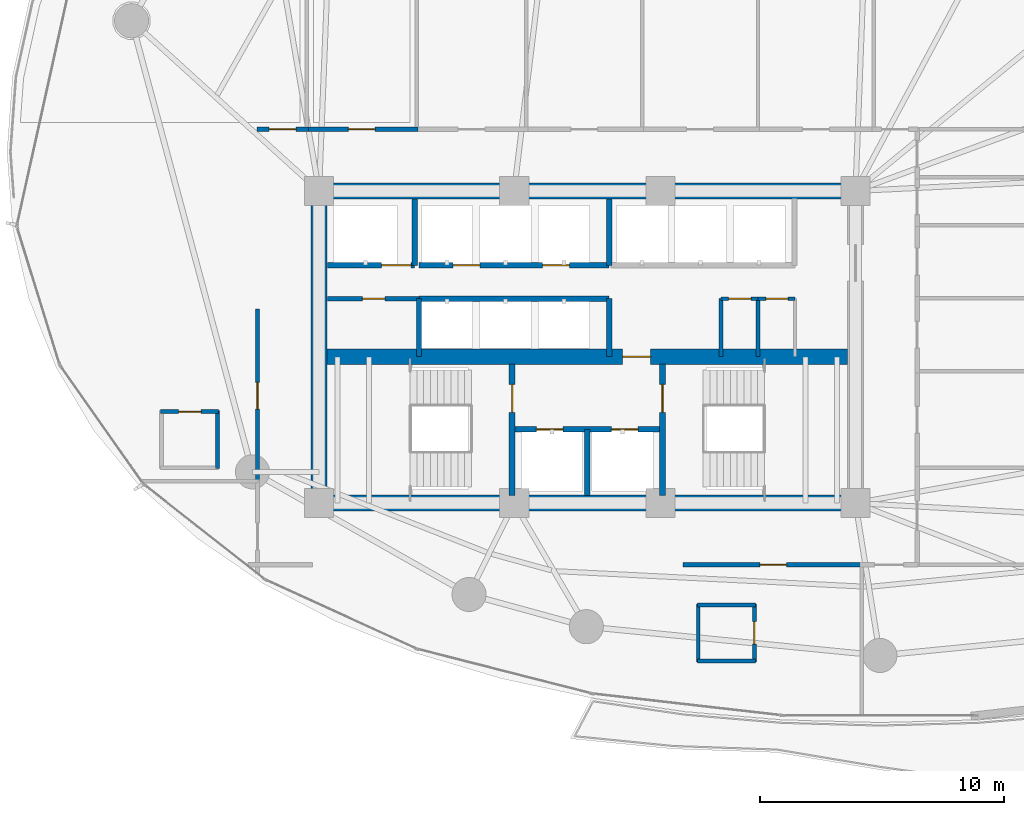
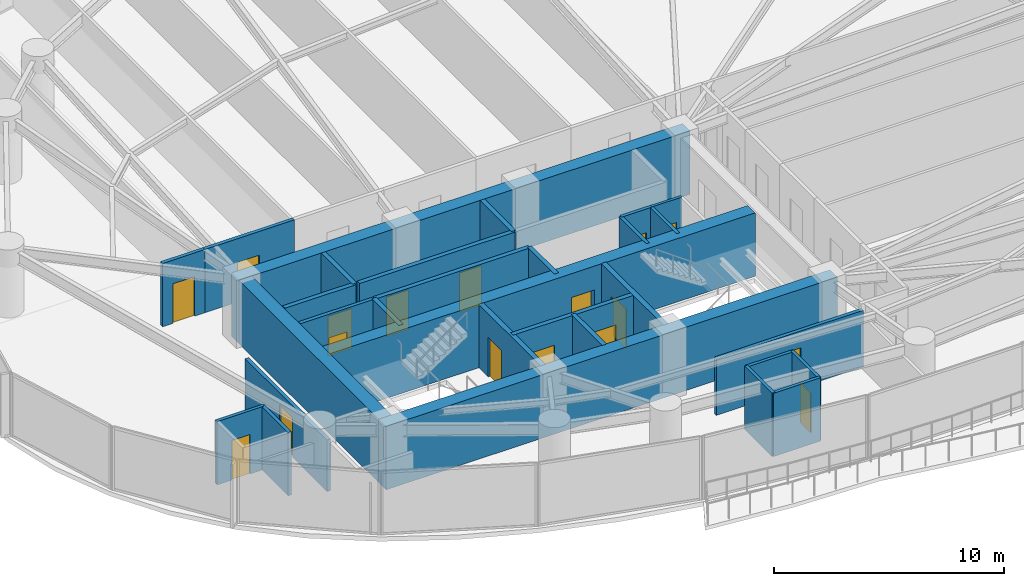
# One storey, part 26 of 33: 30 walls, 17 doors, 17 openings.
"""IFC4 building model written with IfcOpenShell, lengths in metres."""

from ifc_helpers import new_model, si_unit, direction, frame, frame_2d, origin, place, context, subcontext, project, spatial, rectangle, extrude, material, layer, layer_set, type_object, element, fill, save


model = new_model("IFC4")

# Units and contexts
model_context = context("Model", 3, precision=1e-05, world=origin(), true_north=direction((0.0, 1.0)))
body_context = subcontext(model_context, "Body", "Model", "MODEL_VIEW")
ifc_project = project(units=[si_unit("LENGTHUNIT", "METRE"), si_unit("AREAUNIT", "SQUARE_METRE"), si_unit("VOLUMEUNIT", "CUBIC_METRE"), si_unit("PLANEANGLEUNIT", "RADIAN"), si_unit("MASSUNIT", "GRAM", prefix="KILO")], contexts=[model_context])

# Site, building, storey
site_placement = place(None, origin())
site = spatial("IfcSite", under=ifc_project, at=site_placement, CompositionType="ELEMENT")
building_placement = place(site_placement, origin())
building = spatial("IfcBuilding", under=site, at=building_placement, Name="Kazevale Care Tower and Concert Hall", CompositionType="ELEMENT")
storey_placement = place(building_placement, frame((0.0, 0.0, 49.199951171875)))
storey = spatial("IfcBuildingStorey", under=building, at=storey_placement, Name="L12", CompositionType="ELEMENT", Elevation=49.199951171875)

# Wall, opening, door
ifc_material_1 = material(Name="Acoustic Gypsum on Steel Stud", Category="steel")
ifc_layer_1 = layer(ifc_material_1, 0.139892578125)
ifc_layer_set_1 = layer_set([ifc_layer_1], Name="Acoustic Gypsum on Steel Stud")
wall_type_1 = type_object("IfcWallType", Name="Acoustic Care & Suite Partition 140", PredefinedType="PARTITIONING", material=ifc_layer_set_1)
wall_1_placement = place(storey_placement, frame((40.0, 31.97998046875, 0.0), z_axis=(0.0, 0.0, 1.0), x_axis=(1.0, 0.0, 0.0)))
wall_1 = element("IfcWall", 1, at=wall_1_placement, inside=storey, type_object=wall_type_1, Name="wall:L12:ka_en2", PredefinedType="PARTITIONING", context=body_context, shape_type="SweptSolid", body=[
    extrude(rectangle(XDim=1.52001953125, YDim=0.139892578125, at=frame_2d((0.760009765625, 0.0))), origin(), (0.0, 0.0, 1.0), 3.360107421875),
])
opening_1_placement = place(wall_1_placement, frame((0.320068359375, 0.0, 0.0)))
opening_1 = element("IfcOpeningElement", 2, at=opening_1_placement, cuts=wall_1, Name="Opening ID-900", PredefinedType="OPENING", context=body_context, shape_type="SweptSolid", body=[
    extrude(rectangle(XDim=0.919921875, YDim=2.10009765625, at=frame_2d((0.4599609375, 1.050048828125))), frame((0.0, 0.079833984375, 0.0), z_axis=(0.0, -1.0, 0.0), x_axis=(1.0, 0.0, 0.0)), (0.0, 0.0, 1.0), 0.159912109375),
])
ifc_material_2 = material(Name="Oak Timber Fire Leaf", Category="wood")
door_type_1 = type_object("IfcDoorType", Name="Bathroom & Service Door 920x2100", OperationType="NOTDEFINED", PredefinedType="DOOR", material=ifc_material_2)
door_1_placement = place(opening_1_placement, origin())
door_1 = element("IfcDoor", 3, at=door_1_placement, inside=storey, type_object=door_type_1, Name="door:L12:d_kae2", OperationType="SINGLE_SWING_RIGHT", OverallHeight=2.10009765625, OverallWidth=0.919921875, PredefinedType="DOOR", context=body_context, shape_type="SweptSolid", body=[
    extrude(rectangle(XDim=0.919921875, YDim=2.10009765625, at=frame_2d((0.4599609375, 1.050048828125))), frame((0.0, 0.02490234375, 0.0), z_axis=(0.0, -1.0, 0.0), x_axis=(1.0, 0.0, 0.0)), (0.0, 0.0, 1.0), 0.050048828125),
])
fill(opening_1, door_1)

# Walls
ifc_material_3 = material(Name="Concrete C70", Category="concrete")
ifc_layer_2 = layer(ifc_material_3, 0.64990234375)
ifc_layer_set_2 = layer_set([ifc_layer_2], Name="Concrete C70")
wall_type_2 = type_object("IfcWallType", Name="Core Shear Wall 650 C70", PredefinedType="SHEAR", material=ifc_layer_set_2)
for number, where, z_axis, x_axis, name in (
    (4, (21.675048828125, 23.60009765625, 0.0), (0.0, 0.0, 1.0), (1.0, 0.0, 0.0), "wall:L12:core:S"),
    (5, (21.675048828125, 36.39990234375, 0.0), (0.0, 0.0, 1.0), (1.0, 0.0, 0.0), "wall:L12:core:N"),
):
    element("IfcWall", number, at=place(storey_placement, frame(where, z_axis=z_axis, x_axis=x_axis)), inside=storey, type_object=wall_type_2, Name=name, PredefinedType="SHEAR", context=body_context, shape_type="SweptSolid", body=[
        extrude(rectangle(XDim=22.64990234375, YDim=0.64990234375, at=frame_2d((11.324951171875, 0.0))), origin(), (0.0, 0.0, 1.0), 3.360107421875),
    ])
wall_2_placement = place(storey_placement, frame((22.0, 23.925048828125, 0.0), z_axis=(0.0, 0.0, 1.0), x_axis=(0.0, 1.0, 0.0)))
element("IfcWall", 6, at=wall_2_placement, inside=storey, type_object=wall_type_2, Name="wall:L12:core:W", PredefinedType="SHEAR", context=body_context, shape_type="SweptSolid", body=[
    extrude(rectangle(XDim=12.14990234375, YDim=0.64990234375, at=frame_2d((6.074951171875, 0.0))), origin(), (0.0, 0.0, 1.0), 3.360107421875),
])

# Wall, opening, door
wall_3_placement = place(storey_placement, frame((22.324951171875, 29.60009765625, 0.0), z_axis=(0.0, 0.0, 1.0), x_axis=(1.0, 0.0, 0.0)))
wall_3 = element("IfcWall", 7, at=wall_3_placement, inside=storey, type_object=wall_type_2, Name="wall:L12:core:M", PredefinedType="SHEAR", context=body_context, shape_type="SweptSolid", body=[
    extrude(rectangle(XDim=21.35009765625, YDim=0.64990234375, at=frame_2d((10.675048828125, 0.0))), origin(), (0.0, 0.0, 1.0), 3.360107421875),
])
opening_2_placement = place(wall_3_placement, frame((12.125, 0.0, 0.0)))
opening_2 = element("IfcOpeningElement", 8, at=opening_2_placement, cuts=wall_3, Name="Opening FD-90", PredefinedType="OPENING", context=body_context, shape_type="SweptSolid", body=[
    extrude(rectangle(XDim=1.14990234375, YDim=2.10009765625, at=frame_2d((0.574951171875, 1.050048828125))), frame((0.0, 0.3349609375, 0.0), z_axis=(0.0, -1.0, 0.0), x_axis=(1.0, 0.0, 0.0)), (0.0, 0.0, 1.0), 0.669921875),
])
ifc_material_4 = material(Name="Steel ASTM A572 Gr 50", Category="steel")
door_type_2 = type_object("IfcDoorType", Name="Pressurized Stair & Lobby Fire Door 1150x2100", OperationType="NOTDEFINED", PredefinedType="DOOR", material=ifc_material_4)
door_2_placement = place(opening_2_placement, origin())
door_2 = element("IfcDoor", 9, at=door_2_placement, inside=storey, type_object=door_type_2, Name="door:L12:ff_to_pax", OperationType="SINGLE_SWING_LEFT", OverallHeight=2.10009765625, OverallWidth=1.14990234375, PredefinedType="DOOR", context=body_context, shape_type="SweptSolid", body=[
    extrude(rectangle(XDim=1.14990234375, YDim=2.10009765625, at=frame_2d((0.574951171875, 1.050048828125))), frame((0.0, 0.02490234375, 0.0), z_axis=(0.0, -1.0, 0.0), x_axis=(1.0, 0.0, 0.0)), (0.0, 0.0, 1.0), 0.050048828125),
])
fill(opening_2, door_2)

# Wall, openings, doors
ifc_material_5 = material(Name="Concrete C40", Category="concrete")
ifc_layer_3 = layer(ifc_material_5, 0.219970703125)
ifc_layer_set_3 = layer_set([ifc_layer_3], Name="Concrete C40")
wall_type_3 = type_object("IfcWallType", Name="Elevator Hoistway Shaft Wall 220", PredefinedType="SOLIDWALL", material=ifc_layer_set_3)
wall_4_placement = place(storey_placement, frame((29.919921875, 26.6201171875, 0.0), z_axis=(0.0, 0.0, 1.0), x_axis=(1.0, 0.0, 0.0)))
wall_4 = element("IfcWall", 10, at=wall_4_placement, inside=storey, type_object=wall_type_3, Name="wall:L12:c_ffl_n", PredefinedType="SOLIDWALL", context=body_context, shape_type="SweptSolid", body=[
    extrude(rectangle(XDim=6.16015625, YDim=0.219970703125, at=frame_2d((3.080078125, 0.0))), origin(), (0.0, 0.0, 1.0), 3.360107421875),
])
opening_3_placement = place(wall_4_placement, frame((0.989990234375, 0.0, 0.0)))
opening_3 = element("IfcOpeningElement", 11, at=opening_3_placement, cuts=wall_4, Name="Opening LD-FF", PredefinedType="OPENING", context=body_context, shape_type="SweptSolid", body=[
    extrude(rectangle(XDim=1.10009765625, YDim=2.10009765625, at=frame_2d((0.550048828125, 1.050048828125))), frame((0.0, 0.119873046875, 0.0), z_axis=(0.0, -1.0, 0.0), x_axis=(1.0, 0.0, 0.0)), (0.0, 0.0, 1.0), 0.239990234375),
])
opening_4_placement = place(wall_4_placement, frame((4.070068359375, 0.0, 0.0)))
opening_4 = element("IfcOpeningElement", 12, at=opening_4_placement, cuts=wall_4, Name="Opening LD-FF", PredefinedType="OPENING", context=body_context, shape_type="SweptSolid", body=[
    extrude(rectangle(XDim=1.10009765625, YDim=2.10009765625, at=frame_2d((0.550048828125, 1.050048828125))), frame((0.0, 0.119873046875, 0.0), z_axis=(0.0, -1.0, 0.0), x_axis=(1.0, 0.0, 0.0)), (0.0, 0.0, 1.0), 0.239990234375),
])
ifc_material_6 = material(Name="Stainless Steel 316", Category="steel")
door_type_3 = type_object("IfcDoorType", Name="Emergency Lift Sliding Landing Door 1100x2100", OperationType="NOTDEFINED", PredefinedType="DOOR", material=ifc_material_6)
door_3_placement = place(opening_3_placement, origin())
door_3 = element("IfcDoor", 13, at=door_3_placement, inside=storey, type_object=door_type_3, Name="door:L12:ld_ffl1", OperationType="SLIDING_TO_LEFT", OverallHeight=2.10009765625, OverallWidth=1.10009765625, PredefinedType="DOOR", context=body_context, shape_type="SweptSolid", body=[
    extrude(rectangle(XDim=1.10009765625, YDim=2.10009765625, at=frame_2d((0.550048828125, 1.050048828125))), frame((0.0, 0.02490234375, 0.0), z_axis=(0.0, -1.0, 0.0), x_axis=(1.0, 0.0, 0.0)), (0.0, 0.0, 1.0), 0.050048828125),
])
fill(opening_3, door_3)
door_4_placement = place(opening_4_placement, origin())
door_4 = element("IfcDoor", 14, at=door_4_placement, inside=storey, type_object=door_type_3, Name="door:L12:ld_ffl2", OperationType="SLIDING_TO_RIGHT", OverallHeight=2.10009765625, OverallWidth=1.10009765625, PredefinedType="DOOR", context=body_context, shape_type="SweptSolid", body=[
    extrude(rectangle(XDim=1.10009765625, YDim=2.10009765625, at=frame_2d((0.550048828125, 1.050048828125))), frame((0.0, 0.02490234375, 0.0), z_axis=(0.0, -1.0, 0.0), x_axis=(1.0, 0.0, 0.0)), (0.0, 0.0, 1.0), 0.050048828125),
])
fill(opening_4, door_4)

# Walls
wall_5_placement = place(storey_placement, frame((33.0, 23.89990234375, 0.0), z_axis=(0.0, 0.0, 1.0), x_axis=(0.0, 1.0, 0.0)))
element("IfcWall", 15, at=wall_5_placement, inside=storey, type_object=wall_type_3, Name="wall:L12:c_ffl_m", PredefinedType="SOLIDWALL", context=body_context, shape_type="SweptSolid", body=[
    extrude(rectangle(XDim=2.72021484375, YDim=0.219970703125, at=frame_2d((1.360107421875, 0.0))), origin(), (0.0, 0.0, 1.0), 3.360107421875),
])
wall_6_placement = place(storey_placement, frame((25.919921875, 33.35009765625, 0.0), z_axis=(0.0, 0.0, 1.0), x_axis=(0.0, 1.0, 0.0)))
element("IfcWall", 16, at=wall_6_placement, inside=storey, type_object=wall_type_3, Name="wall:L12:c_svl_e", PredefinedType="SOLIDWALL", context=body_context, shape_type="SweptSolid", body=[
    extrude(rectangle(XDim=2.72998046875, YDim=0.219970703125, at=frame_2d((1.364990234375, 0.0))), origin(), (0.0, 0.0, 1.0), 3.360107421875),
])

# Wall, opening, door
wall_7_placement = place(storey_placement, frame((22.35009765625, 33.35009765625, 0.0), z_axis=(0.0, 0.0, 1.0), x_axis=(1.0, 0.0, 0.0)))
wall_7 = element("IfcWall", 17, at=wall_7_placement, inside=storey, type_object=wall_type_3, Name="wall:L12:c_svl_s", PredefinedType="SOLIDWALL", context=body_context, shape_type="SweptSolid", body=[
    extrude(rectangle(XDim=3.56982421875, YDim=0.219970703125, at=frame_2d((1.784912109375, 0.0))), origin(), (0.0, 0.0, 1.0), 3.360107421875),
])
opening_5_placement = place(wall_7_placement, frame((2.212890625, 0.0, 0.0)))
opening_5 = element("IfcOpeningElement", 18, at=opening_5_placement, cuts=wall_7, Name="Opening LD-SV", PredefinedType="OPENING", context=body_context, shape_type="SweptSolid", body=[
    extrude(rectangle(XDim=1.199951171875, YDim=2.10009765625, at=frame_2d((0.60009765625, 1.050048828125))), frame((0.0, 0.119873046875, 0.0), z_axis=(0.0, -1.0, 0.0), x_axis=(1.0, 0.0, 0.0)), (0.0, 0.0, 1.0), 0.239990234375),
])
door_type_4 = type_object("IfcDoorType", Name="Service Lift Sliding Landing Door 1200x2100", OperationType="NOTDEFINED", PredefinedType="DOOR", material=ifc_material_6)
door_5_placement = place(opening_5_placement, origin())
door_5 = element("IfcDoor", 19, at=door_5_placement, inside=storey, type_object=door_type_4, Name="door:L12:ld_svl1", OperationType="SLIDING_TO_LEFT", OverallHeight=2.10009765625, OverallWidth=1.199951171875, PredefinedType="DOOR", context=body_context, shape_type="SweptSolid", body=[
    extrude(rectangle(XDim=1.199951171875, YDim=2.10009765625, at=frame_2d((0.60009765625, 1.050048828125))), frame((0.0, 0.02490234375, 0.0), z_axis=(0.0, -1.0, 0.0), x_axis=(1.0, 0.0, 0.0)), (0.0, 0.0, 1.0), 0.050048828125),
])
fill(opening_5, door_5)

# Walls
wall_8_placement = place(storey_placement, frame((26.10009765625, 29.6201171875, 0.0), z_axis=(0.0, 0.0, 1.0), x_axis=(0.0, 1.0, 0.0)))
element("IfcWall", 20, at=wall_8_placement, inside=storey, type_object=wall_type_3, Name="wall:L12:c_ph_w", PredefinedType="SOLIDWALL", context=body_context, shape_type="SweptSolid", body=[
    extrude(rectangle(XDim=2.35986328125, YDim=0.219970703125, at=frame_2d((1.179931640625, 0.0))), origin(), (0.0, 0.0, 1.0), 3.360107421875),
])
wall_9_placement = place(storey_placement, frame((26.10009765625, 31.97998046875, 0.0), z_axis=(0.0, 0.0, 1.0), x_axis=(1.0, 0.0, 0.0)))
element("IfcWall", 21, at=wall_9_placement, inside=storey, type_object=wall_type_3, Name="wall:L12:c_ph_n", PredefinedType="SOLIDWALL", context=body_context, shape_type="SweptSolid", body=[
    extrude(rectangle(XDim=7.7998046875, YDim=0.219970703125, at=frame_2d((3.89990234375, 0.0))), origin(), (0.0, 0.0, 1.0), 3.360107421875),
])
wall_10_placement = place(storey_placement, frame((33.89990234375, 29.6201171875, 0.0), z_axis=(0.0, 0.0, 1.0), x_axis=(0.0, 1.0, 0.0)))
element("IfcWall", 22, at=wall_10_placement, inside=storey, type_object=wall_type_3, Name="wall:L12:c_ph_e", PredefinedType="SOLIDWALL", context=body_context, shape_type="SweptSolid", body=[
    extrude(rectangle(XDim=2.35986328125, YDim=0.219970703125, at=frame_2d((1.179931640625, 0.0))), origin(), (0.0, 0.0, 1.0), 3.360107421875),
])

# Wall, openings, doors
wall_11_placement = place(storey_placement, frame((26.10009765625, 33.35009765625, 0.0), z_axis=(0.0, 0.0, 1.0), x_axis=(1.0, 0.0, 0.0)))
wall_11 = element("IfcWall", 23, at=wall_11_placement, inside=storey, type_object=wall_type_3, Name="wall:L12:c_pl_s", PredefinedType="SOLIDWALL", context=body_context, shape_type="SweptSolid", body=[
    extrude(rectangle(XDim=7.7998046875, YDim=0.219970703125, at=frame_2d((3.89990234375, 0.0))), origin(), (0.0, 0.0, 1.0), 3.360107421875),
])
opening_6_placement = place(wall_11_placement, frame((1.39990234375, 0.0, 0.0)))
opening_6 = element("IfcOpeningElement", 24, at=opening_6_placement, cuts=wall_11, Name="Opening LD-PAX", PredefinedType="OPENING", context=body_context, shape_type="SweptSolid", body=[
    extrude(rectangle(XDim=1.10009765625, YDim=2.10009765625, at=frame_2d((0.550048828125, 1.050048828125))), frame((0.0, 0.119873046875, 0.0), z_axis=(0.0, -1.0, 0.0), x_axis=(1.0, 0.0, 0.0)), (0.0, 0.0, 1.0), 0.239990234375),
])
opening_7_placement = place(wall_11_placement, frame((5.06591796875, 0.0, 0.0)))
opening_7 = element("IfcOpeningElement", 25, at=opening_7_placement, cuts=wall_11, Name="Opening LD-PAX", PredefinedType="OPENING", context=body_context, shape_type="SweptSolid", body=[
    extrude(rectangle(XDim=1.10009765625, YDim=2.10009765625, at=frame_2d((0.550048828125, 1.050048828125))), frame((0.0, 0.119873046875, 0.0), z_axis=(0.0, -1.0, 0.0), x_axis=(1.0, 0.0, 0.0)), (0.0, 0.0, 1.0), 0.239990234375),
])
door_type_5 = type_object("IfcDoorType", Name="Passenger Lift Sliding Landing Door 1100x2100", OperationType="NOTDEFINED", PredefinedType="DOOR", material=ifc_material_6)
door_6_placement = place(opening_6_placement, origin())
door_6 = element("IfcDoor", 26, at=door_6_placement, inside=storey, type_object=door_type_5, Name="door:L12:ld_pl1", OperationType="SLIDING_TO_LEFT", OverallHeight=2.10009765625, OverallWidth=1.10009765625, PredefinedType="DOOR", context=body_context, shape_type="SweptSolid", body=[
    extrude(rectangle(XDim=1.10009765625, YDim=2.10009765625, at=frame_2d((0.550048828125, 1.050048828125))), frame((0.0, 0.02490234375, 0.0), z_axis=(0.0, -1.0, 0.0), x_axis=(1.0, 0.0, 0.0)), (0.0, 0.0, 1.0), 0.050048828125),
])
fill(opening_6, door_6)
door_7_placement = place(opening_7_placement, origin())
door_7 = element("IfcDoor", 27, at=door_7_placement, inside=storey, type_object=door_type_5, Name="door:L12:ld_pl2", OperationType="SLIDING_TO_RIGHT", OverallHeight=2.10009765625, OverallWidth=1.10009765625, PredefinedType="DOOR", context=body_context, shape_type="SweptSolid", body=[
    extrude(rectangle(XDim=1.10009765625, YDim=2.10009765625, at=frame_2d((0.550048828125, 1.050048828125))), frame((0.0, 0.02490234375, 0.0), z_axis=(0.0, -1.0, 0.0), x_axis=(1.0, 0.0, 0.0)), (0.0, 0.0, 1.0), 0.050048828125),
])
fill(opening_7, door_7)

# Wall
wall_12_placement = place(storey_placement, frame((33.89990234375, 33.35009765625, 0.0), z_axis=(0.0, 0.0, 1.0), x_axis=(0.0, 1.0, 0.0)))
element("IfcWall", 28, at=wall_12_placement, inside=storey, type_object=wall_type_3, Name="wall:L12:c_pl_e", PredefinedType="SOLIDWALL", context=body_context, shape_type="SweptSolid", body=[
    extrude(rectangle(XDim=2.72998046875, YDim=0.219970703125, at=frame_2d((1.364990234375, 0.0))), origin(), (0.0, 0.0, 1.0), 3.360107421875),
])

# Wall, opening, door
ifc_material_7 = material(Name="Concrete C40 and Acoustic Gypsum", Category="concrete")
ifc_layer_4 = layer(ifc_material_7, 0.179931640625)
ifc_layer_set_4 = layer_set([ifc_layer_4], Name="Concrete C40 and Acoustic Gypsum")
wall_type_4 = type_object("IfcWallType", Name="Fire-Rated Corridor & Party Wall 180", PredefinedType="PARTITIONING", material=ifc_layer_set_4)
wall_13_placement = place(storey_placement, frame((22.35009765625, 31.97998046875, 0.0), z_axis=(0.0, 0.0, 1.0), x_axis=(1.0, 0.0, 0.0)))
wall_13 = element("IfcWall", 29, at=wall_13_placement, inside=storey, type_object=wall_type_4, Name="wall:L12:ka_wn1", PredefinedType="PARTITIONING", context=body_context, shape_type="SweptSolid", body=[
    extrude(rectangle(XDim=3.75, YDim=0.179931640625, at=frame_2d((1.875, 0.0))), origin(), (0.0, 0.0, 1.0), 3.360107421875),
])
opening_8_placement = place(wall_13_placement, frame((1.425048828125, 0.0, 0.0)))
opening_8 = element("IfcOpeningElement", 30, at=opening_8_placement, cuts=wall_13, Name="Opening ID-900", PredefinedType="OPENING", context=body_context, shape_type="SweptSolid", body=[
    extrude(rectangle(XDim=0.919921875, YDim=2.10009765625, at=frame_2d((0.4599609375, 1.050048828125))), frame((0.0, 0.099853515625, 0.0), z_axis=(0.0, -1.0, 0.0), x_axis=(1.0, 0.0, 0.0)), (0.0, 0.0, 1.0), 0.199951171875),
])
door_8_placement = place(opening_8_placement, origin())
door_8 = element("IfcDoor", 31, at=door_8_placement, inside=storey, type_object=door_type_1, Name="door:L12:d_kaw", OperationType="SINGLE_SWING_LEFT", OverallHeight=2.10009765625, OverallWidth=0.919921875, PredefinedType="DOOR", context=body_context, shape_type="SweptSolid", body=[
    extrude(rectangle(XDim=0.919921875, YDim=2.10009765625, at=frame_2d((0.4599609375, 1.050048828125))), frame((0.0, 0.02490234375, 0.0), z_axis=(0.0, -1.0, 0.0), x_axis=(1.0, 0.0, 0.0)), (0.0, 0.0, 1.0), 0.050048828125),
])
fill(opening_8, door_8)

wall_14_placement = place(storey_placement, frame((19.445068359375, 38.925048828125, 0.0), z_axis=(0.0, 0.0, 1.0), x_axis=(1.0, 0.0, 0.0)))
wall_14 = element("IfcWall", 32, at=wall_14_placement, inside=storey, type_object=wall_type_4, Name="wall:L12:auto_001", PredefinedType="PARTITIONING", context=body_context, shape_type="SweptSolid", body=[
    extrude(rectangle(XDim=2.119873046875, YDim=0.179931640625, at=frame_2d((1.06005859375, 0.0))), origin(), (0.0, 0.0, 1.0), 3.360107421875),
])
opening_9_placement = place(wall_14_placement, frame((0.510009765625, 0.0, 0.0)))
opening_9 = element("IfcOpeningElement", 33, at=opening_9_placement, cuts=wall_14, Name="Opening ID-1100", PredefinedType="OPENING", context=body_context, shape_type="SweptSolid", body=[
    extrude(rectangle(XDim=1.10009765625, YDim=2.10009765625, at=frame_2d((0.550048828125, 1.050048828125))), frame((0.0, 0.099853515625, 0.0), z_axis=(0.0, -1.0, 0.0), x_axis=(1.0, 0.0, 0.0)), (0.0, 0.0, 1.0), 0.199951171875),
])
door_type_6 = type_object("IfcDoorType", Name="Care Bedroom Accessible Door 1100x2100", OperationType="NOTDEFINED", PredefinedType="DOOR", material=ifc_material_2)
door_9_placement = place(opening_9_placement, origin())
door_9 = element("IfcDoor", 34, at=door_9_placement, inside=storey, type_object=door_type_6, Name="door:L12:ad_001", OperationType="SINGLE_SWING_LEFT", OverallHeight=2.10009765625, OverallWidth=1.10009765625, PredefinedType="DOOR", context=body_context, shape_type="SweptSolid", body=[
    extrude(rectangle(XDim=1.10009765625, YDim=2.10009765625, at=frame_2d((0.550048828125, 1.050048828125))), frame((0.0, 0.02490234375, 0.0), z_axis=(0.0, -1.0, 0.0), x_axis=(1.0, 0.0, 0.0)), (0.0, 0.0, 1.0), 0.050048828125),
])
fill(opening_9, door_9)

wall_15_placement = place(storey_placement, frame((21.43505859375, 38.925048828125, 0.0), z_axis=(0.0, 0.0, 1.0), x_axis=(1.0, 0.0, 0.0)))
wall_15 = element("IfcWall", 35, at=wall_15_placement, inside=storey, type_object=wall_type_4, Name="wall:L12:auto_002", PredefinedType="PARTITIONING", context=body_context, shape_type="SweptSolid", body=[
    extrude(rectangle(XDim=4.6298828125, YDim=0.179931640625, at=frame_2d((2.31494140625, 0.0))), origin(), (0.0, 0.0, 1.0), 3.360107421875),
])
opening_10_placement = place(wall_15_placement, frame((1.764892578125, 0.0, 0.0)))
opening_10 = element("IfcOpeningElement", 36, at=opening_10_placement, cuts=wall_15, Name="Opening ID-1100", PredefinedType="OPENING", context=body_context, shape_type="SweptSolid", body=[
    extrude(rectangle(XDim=1.10009765625, YDim=2.10009765625, at=frame_2d((0.550048828125, 1.050048828125))), frame((0.0, 0.099853515625, 0.0), z_axis=(0.0, -1.0, 0.0), x_axis=(1.0, 0.0, 0.0)), (0.0, 0.0, 1.0), 0.199951171875),
])
door_10_placement = place(opening_10_placement, origin())
door_10 = element("IfcDoor", 37, at=door_10_placement, inside=storey, type_object=door_type_6, Name="door:L12:ad_002", OperationType="SINGLE_SWING_LEFT", OverallHeight=2.10009765625, OverallWidth=1.10009765625, PredefinedType="DOOR", context=body_context, shape_type="SweptSolid", body=[
    extrude(rectangle(XDim=1.10009765625, YDim=2.10009765625, at=frame_2d((0.550048828125, 1.050048828125))), frame((0.0, 0.02490234375, 0.0), z_axis=(0.0, -1.0, 0.0), x_axis=(1.0, 0.0, 0.0)), (0.0, 0.0, 1.0), 0.050048828125),
])
fill(opening_10, door_10)

wall_16_placement = place(storey_placement, frame((44.31494140625, 21.074951171875, 0.0), z_axis=(0.0, 0.0, 1.0), x_axis=(-1.0, 0.0, 0.0)))
wall_16 = element("IfcWall", 38, at=wall_16_placement, inside=storey, type_object=wall_type_4, Name="wall:L12:auto_014", PredefinedType="PARTITIONING", context=body_context, shape_type="SweptSolid", body=[
    extrude(rectangle(XDim=7.3798828125, YDim=0.179931640625, at=frame_2d((3.68994140625, 0.0))), origin(), (0.0, 0.0, 1.0), 2.99609375),
])
opening_11_placement = place(wall_16_placement, frame((3.139892578125, 0.0, 0.0)))
opening_11 = element("IfcOpeningElement", 39, at=opening_11_placement, cuts=wall_16, Name="Opening ID-1100", PredefinedType="OPENING", context=body_context, shape_type="SweptSolid", body=[
    extrude(rectangle(XDim=1.10009765625, YDim=2.10009765625, at=frame_2d((0.550048828125, 1.050048828125))), frame((0.0, 0.099853515625, 0.0), z_axis=(0.0, -1.0, 0.0), x_axis=(1.0, 0.0, 0.0)), (0.0, 0.0, 1.0), 0.199951171875),
])
door_11_placement = place(opening_11_placement, origin())
door_11 = element("IfcDoor", 40, at=door_11_placement, inside=storey, type_object=door_type_6, Name="door:L12:ad_014", OperationType="SINGLE_SWING_LEFT", OverallHeight=2.10009765625, OverallWidth=1.10009765625, PredefinedType="DOOR", context=body_context, shape_type="SweptSolid", body=[
    extrude(rectangle(XDim=1.10009765625, YDim=2.10009765625, at=frame_2d((0.550048828125, 1.050048828125))), frame((0.0, 0.02490234375, 0.0), z_axis=(0.0, -1.0, 0.0), x_axis=(1.0, 0.0, 0.0)), (0.0, 0.0, 1.0), 0.050048828125),
])
fill(opening_11, door_11)

wall_17_placement = place(storey_placement, frame((19.47509765625, 24.43505859375, 0.0), z_axis=(0.0, 0.0, 1.0), x_axis=(0.0, 1.0, 0.0)))
wall_17 = element("IfcWall", 41, at=wall_17_placement, inside=storey, type_object=wall_type_4, Name="wall:L12:auto_018", PredefinedType="PARTITIONING", context=body_context, shape_type="SweptSolid", body=[
    extrude(rectangle(XDim=7.1298828125, YDim=0.179931640625, at=frame_2d((3.56494140625, 0.0))), origin(), (0.0, 0.0, 1.0), 2.738037109375),
])
opening_12_placement = place(wall_17_placement, frame((3.014892578125, 0.0, 0.0)))
opening_12 = element("IfcOpeningElement", 42, at=opening_12_placement, cuts=wall_17, Name="Opening ID-1100", PredefinedType="OPENING", context=body_context, shape_type="SweptSolid", body=[
    extrude(rectangle(XDim=1.10009765625, YDim=2.10009765625, at=frame_2d((0.550048828125, 1.050048828125))), frame((0.0, 0.099853515625, 0.0), z_axis=(0.0, -1.0, 0.0), x_axis=(1.0, 0.0, 0.0)), (0.0, 0.0, 1.0), 0.199951171875),
])
door_12_placement = place(opening_12_placement, origin())
door_12 = element("IfcDoor", 43, at=door_12_placement, inside=storey, type_object=door_type_6, Name="door:L12:ad_018", OperationType="SINGLE_SWING_LEFT", OverallHeight=2.10009765625, OverallWidth=1.10009765625, PredefinedType="DOOR", context=body_context, shape_type="SweptSolid", body=[
    extrude(rectangle(XDim=1.10009765625, YDim=2.10009765625, at=frame_2d((0.550048828125, 1.050048828125))), frame((0.0, 0.02490234375, 0.0), z_axis=(0.0, -1.0, 0.0), x_axis=(1.0, 0.0, 0.0)), (0.0, 0.0, 1.0), 0.050048828125),
])
fill(opening_12, door_12)

# Walls
ifc_layer_5 = layer(ifc_material_1, 0.159912109375)
ifc_layer_set_5 = layer_set([ifc_layer_5], Name="Acoustic Gypsum on Steel Stud")
wall_type_5 = type_object("IfcWallType", Name="Moisture-Resistant Bathroom Plumbing Wall 160", PredefinedType="PLUMBINGWALL", material=ifc_layer_set_5)
for number, where, z_axis, x_axis, name in (
    (44, (38.47998046875, 29.6201171875, 0.0), (0.0, 0.0, 1.0), (0.0, 1.0, 0.0), "wall:L12:ka_ew"),
    (45, (40.0, 29.6201171875, 0.0), (0.0, 0.0, 1.0), (0.0, 1.0, 0.0), "wall:L12:ka_em"),
):
    element("IfcWall", number, at=place(storey_placement, frame(where, z_axis=z_axis, x_axis=x_axis)), inside=storey, type_object=wall_type_5, Name=name, PredefinedType="PLUMBINGWALL", context=body_context, shape_type="SweptSolid", body=[
        extrude(rectangle(XDim=2.35986328125, YDim=0.159912109375, at=frame_2d((1.179931640625, 0.0))), origin(), (0.0, 0.0, 1.0), 3.360107421875),
    ])

# Wall, opening, door
wall_18_placement = place(storey_placement, frame((38.47998046875, 31.97998046875, 0.0), z_axis=(0.0, 0.0, 1.0), x_axis=(1.0, 0.0, 0.0)))
wall_18 = element("IfcWall", 46, at=wall_18_placement, inside=storey, type_object=wall_type_5, Name="wall:L12:ka_en1", PredefinedType="PLUMBINGWALL", context=body_context, shape_type="SweptSolid", body=[
    extrude(rectangle(XDim=1.52001953125, YDim=0.159912109375, at=frame_2d((0.760009765625, 0.0))), origin(), (0.0, 0.0, 1.0), 3.360107421875),
])
opening_13_placement = place(wall_18_placement, frame((0.320068359375, 0.0, 0.0)))
opening_13 = element("IfcOpeningElement", 47, at=opening_13_placement, cuts=wall_18, Name="Opening ID-900", PredefinedType="OPENING", context=body_context, shape_type="SweptSolid", body=[
    extrude(rectangle(XDim=0.919921875, YDim=2.10009765625, at=frame_2d((0.4599609375, 1.050048828125))), frame((0.0, 0.08984375, 0.0), z_axis=(0.0, -1.0, 0.0), x_axis=(1.0, 0.0, 0.0)), (0.0, 0.0, 1.0), 0.179931640625),
])
door_13_placement = place(opening_13_placement, origin())
door_13 = element("IfcDoor", 48, at=door_13_placement, inside=storey, type_object=door_type_1, Name="door:L12:d_kae1", OperationType="SINGLE_SWING_LEFT", OverallHeight=2.10009765625, OverallWidth=0.919921875, PredefinedType="DOOR", context=body_context, shape_type="SweptSolid", body=[
    extrude(rectangle(XDim=0.919921875, YDim=2.10009765625, at=frame_2d((0.4599609375, 1.050048828125))), frame((0.0, 0.02490234375, 0.0), z_axis=(0.0, -1.0, 0.0), x_axis=(1.0, 0.0, 0.0)), (0.0, 0.0, 1.0), 0.050048828125),
])
fill(opening_13, door_13)

# Walls
for number, where, z_axis, x_axis, name in (
    (49, (37.510009765625, 17.115966796875, 0.0), (0.0, 0.0, 1.0), (1.0, 0.0, 0.0), "wall:L12:sb2a_ens_ws"),
    (50, (37.510009765625, 19.416015625, 0.0), (0.0, 0.0, 1.0), (1.0, 0.0, 0.0), "wall:L12:sb2a_ens_wn"),
):
    element("IfcWall", number, at=place(storey_placement, frame(where, z_axis=z_axis, x_axis=x_axis)), inside=storey, type_object=wall_type_5, Name=name, PredefinedType="PLUMBINGWALL", context=body_context, shape_type="SweptSolid", body=[
        extrude(rectangle(XDim=2.3798828125, YDim=0.159912109375, at=frame_2d((1.18994140625, 0.0))), origin(), (0.0, 0.0, 1.0), 3.360107421875),
    ])
wall_19_placement = place(storey_placement, frame((37.550048828125, 17.075927734375, 0.0), z_axis=(0.0, 0.0, 1.0), x_axis=(0.0, 1.0, 0.0)))
element("IfcWall", 51, at=wall_19_placement, inside=storey, type_object=wall_type_5, Name="wall:L12:sb2a_ens_ww", PredefinedType="PLUMBINGWALL", context=body_context, shape_type="SweptSolid", body=[
    extrude(rectangle(XDim=2.380126953125, YDim=0.159912109375, at=frame_2d((1.18994140625, 0.0))), origin(), (0.0, 0.0, 1.0), 3.360107421875),
])

# Wall, opening, door
wall_20_placement = place(storey_placement, frame((39.85009765625, 17.075927734375, 0.0), z_axis=(0.0, 0.0, 1.0), x_axis=(0.0, 1.0, 0.0)))
wall_20 = element("IfcWall", 52, at=wall_20_placement, inside=storey, type_object=wall_type_5, Name="wall:L12:sb2a_ens_we", PredefinedType="PLUMBINGWALL", context=body_context, shape_type="SweptSolid", body=[
    extrude(rectangle(XDim=2.380126953125, YDim=0.159912109375, at=frame_2d((1.18994140625, 0.0))), origin(), (0.0, 0.0, 1.0), 3.360107421875),
])
opening_14_placement = place(wall_20_placement, frame((0.739990234375, 0.0, 0.0)))
opening_14 = element("IfcOpeningElement", 53, at=opening_14_placement, cuts=wall_20, Name="Opening ID-900", PredefinedType="OPENING", context=body_context, shape_type="SweptSolid", body=[
    extrude(rectangle(XDim=0.919921875, YDim=2.10009765625, at=frame_2d((0.4599609375, 1.050048828125))), frame((0.0, 0.08984375, 0.0), z_axis=(0.0, -1.0, 0.0), x_axis=(1.0, 0.0, 0.0)), (0.0, 0.0, 1.0), 0.179931640625),
])
door_14_placement = place(opening_14_placement, origin())
door_14 = element("IfcDoor", 54, at=door_14_placement, inside=storey, type_object=door_type_1, Name="door:L12:sb2a_ens_d", OperationType="SINGLE_SWING_LEFT", OverallHeight=2.10009765625, OverallWidth=0.919921875, PredefinedType="DOOR", context=body_context, shape_type="SweptSolid", body=[
    extrude(rectangle(XDim=0.919921875, YDim=2.10009765625, at=frame_2d((0.4599609375, 1.050048828125))), frame((0.0, 0.02490234375, 0.0), z_axis=(0.0, -1.0, 0.0), x_axis=(1.0, 0.0, 0.0)), (0.0, 0.0, 1.0), 0.050048828125),
])
fill(opening_14, door_14)

wall_21_placement = place(storey_placement, frame((15.5, 27.35009765625, 0.0), z_axis=(0.0, 0.0, 1.0), x_axis=(1.0, 0.0, 0.0)))
wall_21 = element("IfcWall", 55, at=wall_21_placement, inside=storey, type_object=wall_type_5, Name="wall:L12:wb2_ens_wn", PredefinedType="PLUMBINGWALL", context=body_context, shape_type="SweptSolid", body=[
    extrude(rectangle(XDim=2.3798828125, YDim=0.159912109375, at=frame_2d((1.18994140625, 0.0))), origin(), (0.0, 0.0, 1.0), 3.360107421875),
])
opening_15_placement = place(wall_21_placement, frame((0.739990234375, 0.0, 0.0)))
opening_15 = element("IfcOpeningElement", 56, at=opening_15_placement, cuts=wall_21, Name="Opening ID-900", PredefinedType="OPENING", context=body_context, shape_type="SweptSolid", body=[
    extrude(rectangle(XDim=0.919921875, YDim=2.10009765625, at=frame_2d((0.4599609375, 1.050048828125))), frame((0.0, 0.08984375, 0.0), z_axis=(0.0, -1.0, 0.0), x_axis=(1.0, 0.0, 0.0)), (0.0, 0.0, 1.0), 0.179931640625),
])
door_15_placement = place(opening_15_placement, origin())
door_15 = element("IfcDoor", 57, at=door_15_placement, inside=storey, type_object=door_type_1, Name="door:L12:wb2_ens_d", OperationType="SINGLE_SWING_LEFT", OverallHeight=2.10009765625, OverallWidth=0.919921875, PredefinedType="DOOR", context=body_context, shape_type="SweptSolid", body=[
    extrude(rectangle(XDim=0.919921875, YDim=2.10009765625, at=frame_2d((0.4599609375, 1.050048828125))), frame((0.0, 0.02490234375, 0.0), z_axis=(0.0, -1.0, 0.0), x_axis=(1.0, 0.0, 0.0)), (0.0, 0.0, 1.0), 0.050048828125),
])
fill(opening_15, door_15)

# Wall
wall_22_placement = place(storey_placement, frame((17.840087890625, 25.010009765625, 0.0), z_axis=(0.0, 0.0, 1.0), x_axis=(0.0, 1.0, 0.0)))
element("IfcWall", 58, at=wall_22_placement, inside=storey, type_object=wall_type_5, Name="wall:L12:wb2_ens_we", PredefinedType="PLUMBINGWALL", context=body_context, shape_type="SweptSolid", body=[
    extrude(rectangle(XDim=2.3798828125, YDim=0.159912109375, at=frame_2d((1.18994140625, 0.0))), origin(), (0.0, 0.0, 1.0), 3.360107421875),
])

# Wall, opening, door
ifc_layer_6 = layer(ifc_material_5, 0.25)
ifc_layer_set_6 = layer_set([ifc_layer_6], Name="Concrete C40")
wall_type_6 = type_object("IfcWallType", Name="Pressurized Stair Shaft Wall 250", PredefinedType="SOLIDWALL", material=ifc_layer_set_6)
wall_23_placement = place(storey_placement, frame((29.919921875, 23.89990234375, 0.0), z_axis=(0.0, 0.0, 1.0), x_axis=(0.0, 1.0, 0.0)))
wall_23 = element("IfcWall", 59, at=wall_23_placement, inside=storey, type_object=wall_type_6, Name="wall:L12:c_st1_e", PredefinedType="SOLIDWALL", context=body_context, shape_type="SweptSolid", body=[
    extrude(rectangle(XDim=5.400146484375, YDim=0.25, at=frame_2d((2.7001953125, 0.0))), origin(), (0.0, 0.0, 1.0), 3.360107421875),
])
opening_16_placement = place(wall_23_placement, frame((3.4208984375, 0.0, 0.0)))
opening_16 = element("IfcOpeningElement", 60, at=opening_16_placement, cuts=wall_23, Name="Opening FD-90", PredefinedType="OPENING", context=body_context, shape_type="SweptSolid", body=[
    extrude(rectangle(XDim=1.14990234375, YDim=2.10009765625, at=frame_2d((0.574951171875, 1.050048828125))), frame((0.0, 0.135009765625, 0.0), z_axis=(0.0, -1.0, 0.0), x_axis=(1.0, 0.0, 0.0)), (0.0, 0.0, 1.0), 0.27001953125),
])
door_16_placement = place(opening_16_placement, origin())
door_16 = element("IfcDoor", 61, at=door_16_placement, inside=storey, type_object=door_type_2, Name="door:L12:st1", OperationType="SINGLE_SWING_RIGHT", OverallHeight=2.10009765625, OverallWidth=1.14990234375, PredefinedType="DOOR", context=body_context, shape_type="SweptSolid", body=[
    extrude(rectangle(XDim=1.14990234375, YDim=2.10009765625, at=frame_2d((0.574951171875, 1.050048828125))), frame((0.0, 0.02490234375, 0.0), z_axis=(0.0, -1.0, 0.0), x_axis=(1.0, 0.0, 0.0)), (0.0, 0.0, 1.0), 0.050048828125),
])
fill(opening_16, door_16)

wall_24_placement = place(storey_placement, frame((36.080078125, 23.89990234375, 0.0), z_axis=(0.0, 0.0, 1.0), x_axis=(0.0, 1.0, 0.0)))
wall_24 = element("IfcWall", 62, at=wall_24_placement, inside=storey, type_object=wall_type_6, Name="wall:L12:c_st2_w", PredefinedType="SOLIDWALL", context=body_context, shape_type="SweptSolid", body=[
    extrude(rectangle(XDim=5.400146484375, YDim=0.25, at=frame_2d((2.7001953125, 0.0))), origin(), (0.0, 0.0, 1.0), 3.360107421875),
])
opening_17_placement = place(wall_24_placement, frame((3.4208984375, 0.0, 0.0)))
opening_17 = element("IfcOpeningElement", 63, at=opening_17_placement, cuts=wall_24, Name="Opening FD-90", PredefinedType="OPENING", context=body_context, shape_type="SweptSolid", body=[
    extrude(rectangle(XDim=1.14990234375, YDim=2.10009765625, at=frame_2d((0.574951171875, 1.050048828125))), frame((0.0, 0.135009765625, 0.0), z_axis=(0.0, -1.0, 0.0), x_axis=(1.0, 0.0, 0.0)), (0.0, 0.0, 1.0), 0.27001953125),
])
door_17_placement = place(opening_17_placement, origin())
door_17 = element("IfcDoor", 64, at=door_17_placement, inside=storey, type_object=door_type_2, Name="door:L12:st2", OperationType="SINGLE_SWING_LEFT", OverallHeight=2.10009765625, OverallWidth=1.14990234375, PredefinedType="DOOR", context=body_context, shape_type="SweptSolid", body=[
    extrude(rectangle(XDim=1.14990234375, YDim=2.10009765625, at=frame_2d((0.574951171875, 1.050048828125))), frame((0.0, 0.02490234375, 0.0), z_axis=(0.0, -1.0, 0.0), x_axis=(1.0, 0.0, 0.0)), (0.0, 0.0, 1.0), 0.050048828125),
])
fill(opening_17, door_17)

save(model, "model.ifc")
